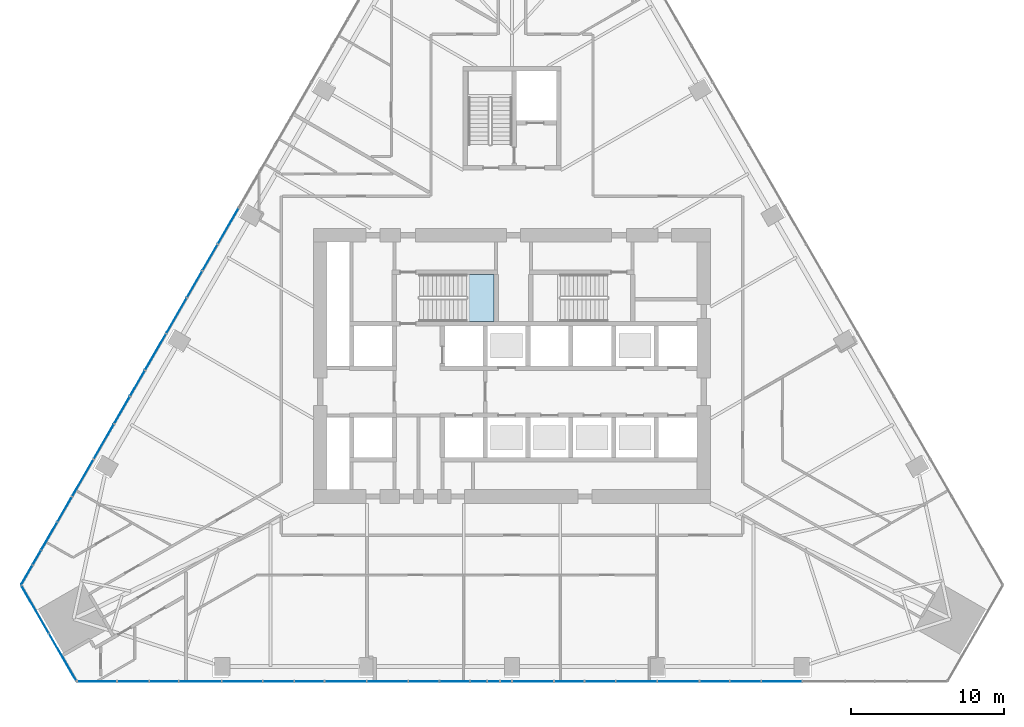
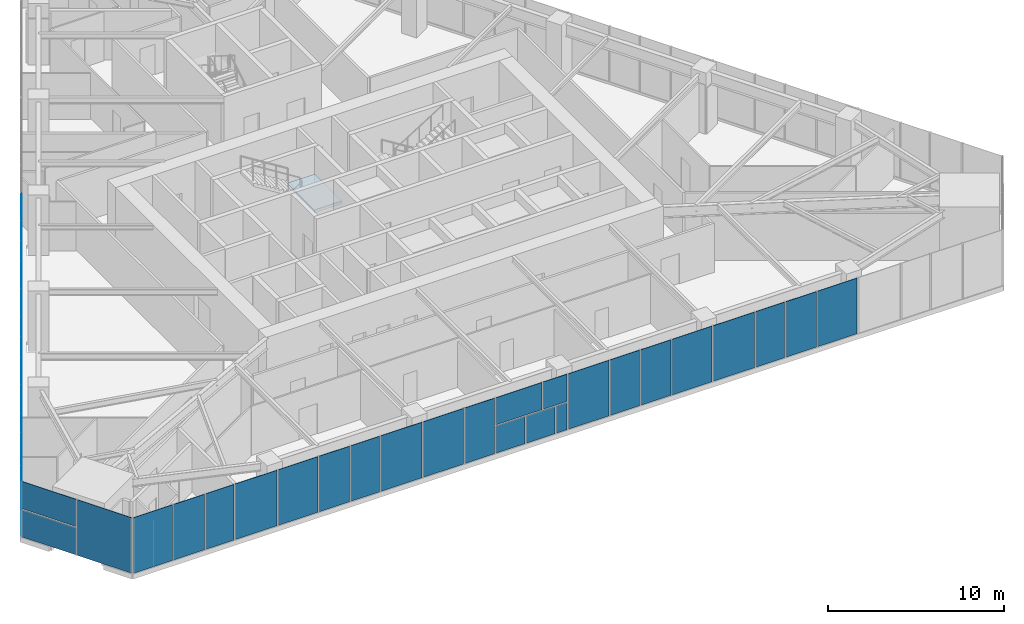
# One storey, part 13 of 21: 40 plates, 1 slab, 4 elements without a shape of their own.
"""IFC4 building model written with IfcOpenShell, lengths in metres."""

from ifc_helpers import new_model, si_unit, direction, frame, origin, place, context, subcontext, project, spatial, polyline, outline, extrude, material, layer, layer_set, type_object, element, aggregate, save


model = new_model("IFC4")

# Units and contexts
model_context = context("Model", 3, precision=1e-05, world=origin(), true_north=direction((0.0, 1.0)))
body_context = subcontext(model_context, "Body", "Model", "MODEL_VIEW")
ifc_project = project(units=[si_unit("LENGTHUNIT", "METRE"), si_unit("AREAUNIT", "SQUARE_METRE"), si_unit("VOLUMEUNIT", "CUBIC_METRE"), si_unit("PLANEANGLEUNIT", "RADIAN"), si_unit("MASSUNIT", "GRAM", prefix="KILO")], contexts=[model_context])

# Site, building, storey
site_placement = place(None, origin())
site = spatial("IfcSite", under=ifc_project, at=site_placement, CompositionType="ELEMENT")
building_placement = place(site_placement, origin())
building = spatial("IfcBuilding", under=site, at=building_placement, Name="Firuza Gate Tower and Library", CompositionType="ELEMENT")
storey_placement = place(building_placement, frame((0.0, 0.0, 69.39990234375)))
storey = spatial("IfcBuildingStorey", under=building, at=storey_placement, Name="L15", CompositionType="ELEMENT", Elevation=69.39990234375)

# Curtain wall, plate
ifc_material_1 = material(Name="Aluminium 6063-T6", Category="aluminium")
ifc_layer_1 = layer(ifc_material_1, 0.14990234375)
ifc_layer_set_1 = layer_set([ifc_layer_1], Name="Corner curtain wall, chamfers")
curtain_wall_type_1 = type_object("IfcCurtainWallType", Name="Corner curtain wall, chamfers", PredefinedType="NOTDEFINED", material=ifc_layer_set_1)
placement = place(storey_placement, origin())
curtain_wall_1 = element("IfcCurtainWall", 1, at=placement, inside=storey, type_object=curtain_wall_type_1, Name="CW4 L15 SW corner", PredefinedType="NOTDEFINED")
ifc_material_2 = material(Name="Fritted glass", Category="glass")
ifc_layer_2 = layer(ifc_material_2, 0.030029296875)
ifc_layer_set_2 = layer_set([ifc_layer_2], Name="Fritted glass unit, corners")
plate_type_1 = type_object("IfcPlateType", Name="Fritted glass unit, corners", PredefinedType="CURTAIN_PANEL", material=ifc_layer_set_2)
plate_1_placement = place(storey_placement, frame((42.864501953125, 60.607177734375, 0.150146484375), z_axis=(-0.865999591991, -0.500044704672, 0.0), x_axis=(0.500044704672, -0.865999591991, 0.0)))
plate_1 = element("IfcPlate", 2, at=plate_1_placement, type_object=plate_type_1, Name="Glass unit", PredefinedType="CURTAIN_PANEL", context=body_context, shape_type="SweptSolid", body=[
    extrude(outline(polyline([(0.0, 0.0), (3.5631579828801696, 0.0), (3.5631579828801696, 1.885009765625), (0.0, 1.885009765625), (0.0, 0.0)])), origin(), (0.0, 0.0, -1.0), 0.030029296875),
])

# Curtain wall, plates
ifc_material_3 = material(Name="Aluminium 6063-T6", Category="aluminium")
ifc_layer_3 = layer(ifc_material_3, 0.14990234375)
ifc_layer_set_3 = layer_set([ifc_layer_3], Name="Unitised curtain wall, offices")
curtain_wall_type_2 = type_object("IfcCurtainWallType", Name="Unitised curtain wall, offices", PredefinedType="NOTDEFINED", material=ifc_layer_set_3)
curtain_wall_2 = element("IfcCurtainWall", 3, at=placement, inside=storey, type_object=curtain_wall_type_2, Name="CW1 L15 S face", PredefinedType="NOTDEFINED")
ifc_material_4 = material(Name="Fritted glass", Category="glass")
ifc_layer_4 = layer(ifc_material_4, 0.030029296875)
ifc_layer_set_4 = layer_set([ifc_layer_4], Name="Fritted glass unit, offices")
plate_type_2 = type_object("IfcPlateType", Name="Fritted glass unit, offices", PredefinedType="CURTAIN_PANEL", material=ifc_layer_set_4)
plate_2_placement = place(storey_placement, frame((49.1826171875, 54.323974609375, 0.150146484375), z_axis=(0.0, -1.0, 0.0), x_axis=(1.0, 0.0, 0.0)))
plate_2 = element("IfcPlate", 4, at=plate_2_placement, type_object=plate_type_2, Name="Glass unit", PredefinedType="CURTAIN_PANEL", context=body_context, shape_type="SweptSolid", body=[
    extrude(outline(polyline([(0.0, 0.0), (2.028076171875, 0.0), (2.028076171875, 3.849853515625), (0.0, 3.849853515625), (0.0, 0.0)])), origin(), (0.0, 0.0, -1.0), 0.030029296875),
])
plate_3_placement = place(storey_placement, frame((51.290771484375, 54.323974609375, 0.150146484375), z_axis=(0.0, -1.0, 0.0), x_axis=(1.0, 0.0, 0.0)))
plate_3 = element("IfcPlate", 5, at=plate_3_placement, type_object=plate_type_2, Name="Glass unit", PredefinedType="CURTAIN_PANEL", context=body_context, shape_type="SweptSolid", body=[
    extrude(outline(polyline([(0.0, 0.0), (1.8544921875, 0.0), (1.8544921875, 3.849853515625), (0.0, 3.849853515625), (0.0, 0.0)])), origin(), (0.0, 0.0, -1.0), 0.030029296875),
])
plate_4_placement = place(storey_placement, frame((58.717041015625, 54.323974609375, 0.150146484375), z_axis=(0.0, -1.0, 0.0), x_axis=(1.0, 0.0, 0.0)))
plate_4 = element("IfcPlate", 6, at=plate_4_placement, type_object=plate_type_2, Name="Glass unit", PredefinedType="CURTAIN_PANEL", context=body_context, shape_type="SweptSolid", body=[
    extrude(outline(polyline([(0.0, 0.0), (1.993408203125, 0.0), (1.993408203125, 3.849853515625), (0.0, 3.849853515625), (0.0, 0.0)])), origin(), (0.0, 0.0, -1.0), 0.030029296875),
])
plate_5_placement = place(storey_placement, frame((60.790283203125, 54.323974609375, 0.150146484375), z_axis=(0.0, -1.0, 0.0), x_axis=(1.0, 0.0, 0.0)))
plate_5 = element("IfcPlate", 7, at=plate_5_placement, type_object=plate_type_2, Name="Glass unit", PredefinedType="CURTAIN_PANEL", context=body_context, shape_type="SweptSolid", body=[
    extrude(outline(polyline([(0.0, 0.0), (1.889404296875, 0.0), (1.889404296875, 3.849853515625), (0.0, 3.849853515625), (0.0, 0.0)])), origin(), (0.0, 0.0, -1.0), 0.030029296875),
])
plate_6_placement = place(storey_placement, frame((68.25146484375, 54.323974609375, 0.150146484375), z_axis=(0.0, -1.0, 0.0), x_axis=(1.0, 0.0, 0.0)))
plate_6 = element("IfcPlate", 8, at=plate_6_placement, type_object=plate_type_2, Name="Glass unit", PredefinedType="CURTAIN_PANEL", context=body_context, shape_type="SweptSolid", body=[
    extrude(outline(polyline([(0.0, 0.0), (1.958740234375, 0.0), (1.958740234375, 3.849853515625), (0.0, 3.849853515625), (0.0, 0.0)])), origin(), (0.0, 0.0, -1.0), 0.030029296875),
])
plate_7_placement = place(storey_placement, frame((70.2900390625, 54.323974609375, 0.150146484375), z_axis=(0.0, -1.0, 0.0), x_axis=(1.0, 0.0, 0.0)))
plate_7 = element("IfcPlate", 9, at=plate_7_placement, type_object=plate_type_2, Name="Glass unit", PredefinedType="CURTAIN_PANEL", context=body_context, shape_type="SweptSolid", body=[
    extrude(outline(polyline([(0.0, 0.0), (1.924072265625, 0.0), (1.924072265625, 1.885009765625), (0.0, 1.885009765625), (0.0, 0.0)])), origin(), (0.0, 0.0, -1.0), 0.030029296875),
])
plate_8_placement = place(storey_placement, frame((74.2587890625, 54.323974609375, 0.150146484375), z_axis=(0.0, -1.0, 0.0), x_axis=(1.0, 0.0, 0.0)))
plate_8 = element("IfcPlate", 10, at=plate_8_placement, type_object=plate_type_2, Name="Glass unit", PredefinedType="CURTAIN_PANEL", context=body_context, shape_type="SweptSolid", body=[
    extrude(outline(polyline([(0.0, 0.0), (0.701171875, 0.0), (0.701171875, 1.885009765625), (0.0, 1.885009765625), (0.0, 0.0)])), origin(), (0.0, 0.0, -1.0), 0.030029296875),
])
plate_9_placement = place(storey_placement, frame((70.2900390625, 54.323974609375, 2.114990234375), z_axis=(0.0, -1.0, 0.0), x_axis=(1.0, 0.0, 0.0)))
plate_9 = element("IfcPlate", 11, at=plate_9_placement, type_object=plate_type_2, Name="Glass unit", PredefinedType="CURTAIN_PANEL", context=body_context, shape_type="SweptSolid", body=[
    extrude(outline(polyline([(0.0, 0.0), (3.039306640625, 0.0), (3.039306640625, 1.885009765625), (0.0, 1.885009765625), (0.0, 0.0)])), origin(), (0.0, 0.0, -1.0), 0.030029296875),
])
plate_10_placement = place(storey_placement, frame((77.785888671875, 54.323974609375, 0.150146484375), z_axis=(0.0, -1.0, 0.0), x_axis=(1.0, 0.0, 0.0)))
plate_10 = element("IfcPlate", 12, at=plate_10_placement, type_object=plate_type_2, Name="Glass unit", PredefinedType="CURTAIN_PANEL", context=body_context, shape_type="SweptSolid", body=[
    extrude(outline(polyline([(0.0, 0.0), (1.924072265625, 0.0), (1.924072265625, 3.849853515625), (0.0, 3.849853515625), (0.0, 0.0)])), origin(), (0.0, 0.0, -1.0), 0.030029296875),
])
plate_11_placement = place(storey_placement, frame((79.789794921875, 54.323974609375, 0.150146484375), z_axis=(0.0, -1.0, 0.0), x_axis=(1.0, 0.0, 0.0)))
plate_11 = element("IfcPlate", 13, at=plate_11_placement, type_object=plate_type_2, Name="Glass unit", PredefinedType="CURTAIN_PANEL", context=body_context, shape_type="SweptSolid", body=[
    extrude(outline(polyline([(0.0, 0.0), (1.958740234375, 0.0), (1.958740234375, 3.849853515625), (0.0, 3.849853515625), (0.0, 0.0)])), origin(), (0.0, 0.0, -1.0), 0.030029296875),
])
plate_12_placement = place(storey_placement, frame((87.3203125, 54.323974609375, 0.150146484375), z_axis=(0.0, -1.0, 0.0), x_axis=(1.0, 0.0, 0.0)))
plate_12 = element("IfcPlate", 14, at=plate_12_placement, type_object=plate_type_2, Name="Glass unit", PredefinedType="CURTAIN_PANEL", context=body_context, shape_type="SweptSolid", body=[
    extrude(outline(polyline([(0.0, 0.0), (1.889404296875, 0.0), (1.889404296875, 3.849853515625), (0.0, 3.849853515625), (0.0, 0.0)])), origin(), (0.0, 0.0, -1.0), 0.030029296875),
])
plate_13_placement = place(storey_placement, frame((89.28955078125, 54.323974609375, 0.150146484375), z_axis=(0.0, -1.0, 0.0), x_axis=(1.0, 0.0, 0.0)))
plate_13 = element("IfcPlate", 15, at=plate_13_placement, type_object=plate_type_2, Name="Glass unit", PredefinedType="CURTAIN_PANEL", context=body_context, shape_type="SweptSolid", body=[
    extrude(outline(polyline([(0.0, 0.0), (1.993408203125, 0.0), (1.993408203125, 3.849853515625), (0.0, 3.849853515625), (0.0, 0.0)])), origin(), (0.0, 0.0, -1.0), 0.030029296875),
])

curtain_wall_3 = element("IfcCurtainWall", 16, at=placement, inside=storey, type_object=curtain_wall_type_2, Name="CW1 L15 W face", PredefinedType="NOTDEFINED")
plate_14_placement = place(storey_placement, frame((55.701171875, 82.92529296875, 0.150146484375), z_axis=(-0.866048237946, 0.499960447986, 0.0), x_axis=(-0.499960447986, -0.866048237946, 0.0)))
plate_14 = element("IfcPlate", 17, at=plate_14_placement, type_object=plate_type_2, Name="Glass unit", PredefinedType="CURTAIN_PANEL", context=body_context, shape_type="SweptSolid", body=[
    extrude(outline(polyline([(0.0, 0.0), (1.923980319591636, 0.0), (1.923980319591636, 3.849853515625), (0.0, 3.849853515625), (0.0, 0.0)])), origin(), (0.0, 0.0, -1.0), 0.030029296875),
])
plate_15_placement = place(storey_placement, frame((54.69921875, 81.18994140625, 0.150146484375), z_axis=(-0.865994621196, 0.500053313218, 0.0), x_axis=(-0.500053313218, -0.865994621196, 0.0)))
plate_15 = element("IfcPlate", 18, at=plate_15_placement, type_object=plate_type_2, Name="Glass unit", PredefinedType="CURTAIN_PANEL", context=body_context, shape_type="SweptSolid", body=[
    extrude(outline(polyline([(0.0, 0.0), (1.958775517748439, 0.0), (1.958775517748439, 3.849853515625), (0.0, 3.849853515625), (0.0, 0.0)])), origin(), (0.0, 0.0, -1.0), 0.030029296875),
])
plate_16_placement = place(storey_placement, frame((50.933837890625, 74.668212890625, 0.150146484375), z_axis=(-0.866047869032, 0.499961087031, 0.0), x_axis=(-0.499961087031, -0.866047869032, 0.0)))
plate_16 = element("IfcPlate", 19, at=plate_16_placement, type_object=plate_type_2, Name="Glass unit", PredefinedType="CURTAIN_PANEL", context=body_context, shape_type="SweptSolid", body=[
    extrude(outline(polyline([(0.0, 0.0), (1.8893071933532877, 0.0), (1.8893071933532877, 3.849853515625001), (0.0, 3.849853515625001), (0.0, 0.0)])), origin(), (0.0, 0.0, -1.0), 0.030029296875),
])
plate_17_placement = place(storey_placement, frame((49.94921875, 72.962890625, 0.150146484375), z_axis=(-0.86604893727, 0.499959236591, 0.0), x_axis=(-0.499959236591, -0.86604893727, 0.0)))
plate_17 = element("IfcPlate", 20, at=plate_17_placement, type_object=plate_type_2, Name="Glass unit", PredefinedType="CURTAIN_PANEL", context=body_context, shape_type="SweptSolid", body=[
    extrude(outline(polyline([(0.0, 0.0), (1.9933265720713123, 0.0), (1.9933265720713123, 3.849853515625), (0.0, 3.849853515625), (0.0, 0.0)])), origin(), (0.0, 0.0, -1.0), 0.030029296875),
])
plate_18_placement = place(storey_placement, frame((46.166748046875, 66.4111328125, 0.150146484375), z_axis=(-0.866014576189, 0.500018753476, 0.0), x_axis=(-0.500018753476, -0.866014576189, 0.0)))
plate_18 = element("IfcPlate", 21, at=plate_18_placement, type_object=plate_type_2, Name="Glass unit", PredefinedType="CURTAIN_PANEL", context=body_context, shape_type="SweptSolid", body=[
    extrude(outline(polyline([(0.0, 0.0), (1.8544226337585363, 0.0), (1.8544226337585363, 3.849853515625), (0.0, 3.849853515625), (0.0, 0.0)])), origin(), (0.0, 0.0, -1.0), 0.030029296875),
])
plate_19_placement = place(storey_placement, frame((45.199462890625, 64.73583984375, 0.150146484375), z_axis=(-0.865997142093, 0.500048947491, 0.0), x_axis=(-0.500048947491, -0.865997142093, 0.0)))
plate_19 = element("IfcPlate", 22, at=plate_19_placement, type_object=plate_type_2, Name="Glass unit", PredefinedType="CURTAIN_PANEL", context=body_context, shape_type="SweptSolid", body=[
    extrude(outline(polyline([(0.0, 0.0), (2.0281217695542577, 0.0), (2.0281217695542577, 1.885009765625), (0.0, 1.885009765625), (0.0, 0.0)])), origin(), (0.0, 0.0, -1.0), 0.030029296875),
])
plate_20_placement = place(storey_placement, frame((45.199462890625, 64.73583984375, 2.114990234375), z_axis=(-0.86600709086, 0.500031717574, 0.0), x_axis=(-0.500031717574, -0.86600709086, 0.0)))
plate_20 = element("IfcPlate", 23, at=plate_20_placement, type_object=plate_type_2, Name="Glass unit", PredefinedType="CURTAIN_PANEL", context=body_context, shape_type="SweptSolid", body=[
    extrude(outline(polyline([(0.0, 0.0), (3.1433552882889813, 0.0), (3.1433552882889813, 1.885009765625), (0.0, 1.885009765625), (0.0, 0.0)])), origin(), (0.0, 0.0, -1.0), 0.030029296875),
])

# Plate
ifc_material_5 = material(Name="Glazed ceramic tile")
ifc_layer_5 = layer(ifc_material_5, 0.030029296875)
ifc_layer_set_5 = layer_set([ifc_layer_5], Name="Opaque ceramic panel, corners")
plate_type_3 = type_object("IfcPlateType", Name="Opaque ceramic panel, corners", PredefinedType="CURTAIN_PANEL", material=ifc_layer_set_5)
plate_21_placement = place(storey_placement, frame((42.864501953125, 60.607177734375, 2.114990234375), z_axis=(-0.865999591991, -0.500044704672, 0.0), x_axis=(0.500044704672, -0.865999591991, 0.0)))
plate_21 = element("IfcPlate", 24, at=plate_21_placement, type_object=plate_type_3, Name="Opaque ceramic panel", PredefinedType="CURTAIN_PANEL", context=body_context, shape_type="SweptSolid", body=[
    extrude(outline(polyline([(0.0, 0.0), (3.5631579828801696, 0.0), (3.5631579828801696, 1.885009765625), (0.0, 1.885009765625), (0.0, 0.0)])), origin(), (0.0, 0.0, -1.0), 0.030029296875),
])

plate_22_placement = place(storey_placement, frame((44.686279296875, 57.4521484375, 0.150146484375), z_axis=(-0.866046390552, -0.49996364809, 0.0), x_axis=(0.49996364809, -0.866046390552, 0.0)))
plate_22 = element("IfcPlate", 25, at=plate_22_placement, type_object=plate_type_3, Name="Opaque ceramic panel", PredefinedType="CURTAIN_PANEL", context=body_context, shape_type="SweptSolid", body=[
    extrude(outline(polyline([(0.0, 0.0), (3.563247342942594, 0.0), (3.563247342942594, 3.849853515625), (0.0, 3.849853515625), (0.0, 0.0)])), origin(), (0.0, 0.0, -1.0), 0.030029296875),
])

aggregate(curtain_wall_1, [plate_1, plate_21, plate_22])

ifc_material_6 = material(Name="Glazed ceramic tile")
ifc_layer_6 = layer(ifc_material_6, 0.030029296875)
ifc_layer_set_6 = layer_set([ifc_layer_6], Name="Opaque ceramic panel, offices")
plate_type_4 = type_object("IfcPlateType", Name="Opaque ceramic panel, offices", PredefinedType="CURTAIN_PANEL", material=ifc_layer_set_6)
plate_23_placement = place(storey_placement, frame((46.540771484375, 54.323974609375, 0.150146484375), z_axis=(0.0, -1.0, 0.0), x_axis=(1.0, 0.0, 0.0)))
plate_23 = element("IfcPlate", 26, at=plate_23_placement, type_object=plate_type_4, Name="Opaque ceramic panel", PredefinedType="CURTAIN_PANEL", context=body_context, shape_type="SweptSolid", body=[
    extrude(outline(polyline([(0.0, 0.0), (2.561767578125, 0.0), (2.561767578125, 3.849853515625), (0.0, 3.849853515625), (0.0, 0.0)])), origin(), (0.0, 0.0, -1.0), 0.030029296875),
])

plate_24_placement = place(storey_placement, frame((53.22509765625, 54.323974609375, 0.150146484375), z_axis=(0.0, -1.0, 0.0), x_axis=(1.0, 0.0, 0.0)))
plate_24 = element("IfcPlate", 27, at=plate_24_placement, type_object=plate_type_4, Name="Opaque ceramic panel", PredefinedType="CURTAIN_PANEL", context=body_context, shape_type="SweptSolid", body=[
    extrude(outline(polyline([(0.0, 0.0), (2.7353515625, 0.0), (2.7353515625, 3.849853515625), (0.0, 3.849853515625), (0.0, 0.0)])), origin(), (0.0, 0.0, -1.0), 0.030029296875),
])

plate_25_placement = place(storey_placement, frame((56.04052734375, 54.323974609375, 0.150146484375), z_axis=(0.0, -1.0, 0.0), x_axis=(1.0, 0.0, 0.0)))
plate_25 = element("IfcPlate", 28, at=plate_25_placement, type_object=plate_type_4, Name="Opaque ceramic panel", PredefinedType="CURTAIN_PANEL", context=body_context, shape_type="SweptSolid", body=[
    extrude(outline(polyline([(0.0, 0.0), (2.596435546875, 0.0), (2.596435546875, 3.849853515625), (0.0, 3.849853515625), (0.0, 0.0)])), origin(), (0.0, 0.0, -1.0), 0.030029296875),
])

plate_26_placement = place(storey_placement, frame((62.759521484375, 54.323974609375, 0.150146484375), z_axis=(0.0, -1.0, 0.0), x_axis=(1.0, 0.0, 0.0)))
plate_26 = element("IfcPlate", 29, at=plate_26_placement, type_object=plate_type_4, Name="Opaque ceramic panel", PredefinedType="CURTAIN_PANEL", context=body_context, shape_type="SweptSolid", body=[
    extrude(outline(polyline([(0.0, 0.0), (2.70068359375, 0.0), (2.70068359375, 3.849853515625), (0.0, 3.849853515625), (0.0, 0.0)])), origin(), (0.0, 0.0, -1.0), 0.030029296875),
])

plate_27_placement = place(storey_placement, frame((65.540283203125, 54.323974609375, 0.150146484375), z_axis=(0.0, -1.0, 0.0), x_axis=(1.0, 0.0, 0.0)))
plate_27 = element("IfcPlate", 30, at=plate_27_placement, type_object=plate_type_4, Name="Opaque ceramic panel", PredefinedType="CURTAIN_PANEL", context=body_context, shape_type="SweptSolid", body=[
    extrude(outline(polyline([(0.0, 0.0), (2.631103515625, 0.0), (2.631103515625, 3.849853515625), (0.0, 3.849853515625), (0.0, 0.0)])), origin(), (0.0, 0.0, -1.0), 0.030029296875),
])

plate_28_placement = place(storey_placement, frame((72.294189453125, 54.323974609375, 0.150146484375), z_axis=(0.0, -1.0, 0.0), x_axis=(1.0, 0.0, 0.0)))
plate_28 = element("IfcPlate", 31, at=plate_28_placement, type_object=plate_type_4, Name="Opaque ceramic panel", PredefinedType="CURTAIN_PANEL", context=body_context, shape_type="SweptSolid", body=[
    extrude(outline(polyline([(0.0, 0.0), (1.884521484375, 0.0), (1.884521484375, 1.885009765625), (0.0, 1.885009765625), (0.0, 0.0)])), origin(), (0.0, 0.0, -1.0), 0.030029296875),
])

plate_29_placement = place(storey_placement, frame((73.4091796875, 54.323974609375, 2.114990234375), z_axis=(0.0, -1.0, 0.0), x_axis=(1.0, 0.0, 0.0)))
plate_29 = element("IfcPlate", 32, at=plate_29_placement, type_object=plate_type_4, Name="Opaque ceramic panel", PredefinedType="CURTAIN_PANEL", context=body_context, shape_type="SweptSolid", body=[
    extrude(outline(polyline([(0.0, 0.0), (1.55078125, 0.0), (1.55078125, 1.885009765625), (0.0, 1.885009765625), (0.0, 0.0)])), origin(), (0.0, 0.0, -1.0), 0.030029296875),
])

plate_30_placement = place(storey_placement, frame((75.0400390625, 54.323974609375, 0.150146484375), z_axis=(0.0, -1.0, 0.0), x_axis=(1.0, 0.0, 0.0)))
plate_30 = element("IfcPlate", 33, at=plate_30_placement, type_object=plate_type_4, Name="Opaque ceramic panel", PredefinedType="CURTAIN_PANEL", context=body_context, shape_type="SweptSolid", body=[
    extrude(outline(polyline([(0.0, 0.0), (2.665771484375, 0.0), (2.665771484375, 3.849853515625), (0.0, 3.849853515625), (0.0, 0.0)])), origin(), (0.0, 0.0, -1.0), 0.030029296875),
])

plate_31_placement = place(storey_placement, frame((81.82861328125, 54.323974609375, 0.150146484375), z_axis=(0.0, -1.0, 0.0), x_axis=(1.0, 0.0, 0.0)))
plate_31 = element("IfcPlate", 34, at=plate_31_placement, type_object=plate_type_4, Name="Opaque ceramic panel", PredefinedType="CURTAIN_PANEL", context=body_context, shape_type="SweptSolid", body=[
    extrude(outline(polyline([(0.0, 0.0), (2.631103515625, 0.0), (2.631103515625, 3.849853515625), (0.0, 3.849853515625), (0.0, 0.0)])), origin(), (0.0, 0.0, -1.0), 0.030029296875),
])

plate_32_placement = place(storey_placement, frame((84.539794921875, 54.323974609375, 0.150146484375), z_axis=(0.0, -1.0, 0.0), x_axis=(1.0, 0.0, 0.0)))
plate_32 = element("IfcPlate", 35, at=plate_32_placement, type_object=plate_type_4, Name="Opaque ceramic panel", PredefinedType="CURTAIN_PANEL", context=body_context, shape_type="SweptSolid", body=[
    extrude(outline(polyline([(0.0, 0.0), (2.70068359375, 0.0), (2.70068359375, 3.849853515625), (0.0, 3.849853515625), (0.0, 0.0)])), origin(), (0.0, 0.0, -1.0), 0.030029296875),
])

plate_33_placement = place(storey_placement, frame((91.363037109375, 54.323974609375, 0.150146484375), z_axis=(0.0, -1.0, 0.0), x_axis=(1.0, 0.0, 0.0)))
plate_33 = element("IfcPlate", 36, at=plate_33_placement, type_object=plate_type_4, Name="Opaque ceramic panel", PredefinedType="CURTAIN_PANEL", context=body_context, shape_type="SweptSolid", body=[
    extrude(outline(polyline([(0.0, 0.0), (2.596435546875, 0.0), (2.596435546875, 3.849853515625), (0.0, 3.849853515625), (0.0, 0.0)])), origin(), (0.0, 0.0, -1.0), 0.030029296875),
])

aggregate(curtain_wall_2, [plate_23, plate_2, plate_3, plate_24, plate_25, plate_4, plate_5, plate_26, plate_27, plate_6, plate_7, plate_28, plate_8, plate_9, plate_29, plate_30, plate_10, plate_11, plate_31, plate_32, plate_12, plate_13, plate_33])

plate_34_placement = place(storey_placement, frame((57.07421875, 85.30322265625, 0.150146484375), z_axis=(-0.866002566612, 0.500039553057, 0.0), x_axis=(-0.500039553057, -0.866002566612, 0.0)))
plate_34 = element("IfcPlate", 37, at=plate_34_placement, type_object=plate_type_4, Name="Opaque ceramic panel", PredefinedType="CURTAIN_PANEL", context=body_context, shape_type="SweptSolid", body=[
    extrude(outline(polyline([(0.0, 0.0), (2.66580474354839, 0.0), (2.66580474354839, 3.849853515625), (0.0, 3.849853515625), (0.0, 0.0)])), origin(), (0.0, 0.0, -1.0), 0.030029296875),
])

plate_35_placement = place(storey_placement, frame((53.679931640625, 79.42431640625, 0.150146484375), z_axis=(-0.866024898077, 0.500000875909, 0.0), x_axis=(-0.500000875909, -0.866024898077, 0.0)))
plate_35 = element("IfcPlate", 38, at=plate_35_placement, type_object=plate_type_4, Name="Opaque ceramic panel", PredefinedType="CURTAIN_PANEL", context=body_context, shape_type="SweptSolid", body=[
    extrude(outline(polyline([(0.0, 0.0), (2.6313430466136385, 0.0), (2.6313430466136385, 3.849853515625), (0.0, 3.849853515625), (0.0, 0.0)])), origin(), (0.0, 0.0, -1.0), 0.030029296875),
])

plate_36_placement = place(storey_placement, frame((52.32421875, 77.076416015625, 0.150146484375), z_axis=(-0.866026013603, 0.499998943762, 0.0), x_axis=(-0.499998943762, -0.866026013603, 0.0)))
plate_36 = element("IfcPlate", 39, at=plate_36_placement, type_object=plate_type_4, Name="Opaque ceramic panel", PredefinedType="CURTAIN_PANEL", context=body_context, shape_type="SweptSolid", body=[
    extrude(outline(polyline([(0.0, 0.0), (2.7006892988923705, 0.0), (2.7006892988923705, 3.849853515625), (0.0, 3.849853515625), (0.0, 0.0)])), origin(), (0.0, 0.0, -1.0), 0.030029296875),
])

plate_37_placement = place(storey_placement, frame((48.91259765625, 71.167236328125, 0.150146484375), z_axis=(-0.866000809756, 0.500042595688, 0.0), x_axis=(-0.500042595688, -0.866000809756, 0.0)))
plate_37 = element("IfcPlate", 40, at=plate_37_placement, type_object=plate_type_4, Name="Opaque ceramic panel", PredefinedType="CURTAIN_PANEL", context=body_context, shape_type="SweptSolid", body=[
    extrude(outline(polyline([(0.0, 0.0), (2.5964584916306643, 0.0), (2.5964584916306643, 3.849853515625), (0.0, 3.849853515625), (0.0, 0.0)])), origin(), (0.0, 0.0, -1.0), 0.030029296875),
])

plate_38_placement = place(storey_placement, frame((47.574462890625, 68.849365234375, 0.150146484375), z_axis=(-0.866026550154, 0.499998014425, 0.0), x_axis=(-0.499998014425, -0.866026550154, 0.0)))
plate_38 = element("IfcPlate", 41, at=plate_38_placement, type_object=plate_type_4, Name="Opaque ceramic panel", PredefinedType="CURTAIN_PANEL", context=body_context, shape_type="SweptSolid", body=[
    extrude(outline(polyline([(0.0, 0.0), (2.735362425036586, 0.0), (2.735362425036586, 3.849853515625001), (0.0, 3.849853515625001), (0.0, 0.0)])), origin(), (0.0, 0.0, -1.0), 0.030029296875),
])

plate_39_placement = place(storey_placement, frame((44.145263671875, 62.91015625, 0.150146484375), z_axis=(-0.866041163633, 0.499972702148, 0.0), x_axis=(-0.499972702148, -0.866041163633, 0.0)))
plate_39 = element("IfcPlate", 42, at=plate_39_placement, type_object=plate_type_4, Name="Opaque ceramic panel", PredefinedType="CURTAIN_PANEL", context=body_context, shape_type="SweptSolid", body=[
    extrude(outline(polyline([(0.0, 0.0), (2.561663293310942, 0.0), (2.561663293310942, 1.885009765625), (0.0, 1.885009765625), (0.0, 0.0)])), origin(), (0.0, 0.0, -1.0), 0.030029296875),
])

plate_40_placement = place(storey_placement, frame((43.587890625, 61.9443359375, 2.114990234375), z_axis=(-0.86598039905, 0.500077942386, 0.0), x_axis=(-0.500077942386, -0.86598039905, 0.0)))
plate_40 = element("IfcPlate", 43, at=plate_40_placement, type_object=plate_type_4, Name="Opaque ceramic panel", PredefinedType="CURTAIN_PANEL", context=body_context, shape_type="SweptSolid", body=[
    extrude(outline(polyline([(0.0, 0.0), (1.4465518483437068, 0.0), (1.4465518483437068, 1.885009765625), (0.0, 1.885009765625), (0.0, 0.0)])), origin(), (0.0, 0.0, -1.0), 0.030029296875),
])

aggregate(curtain_wall_3, [plate_34, plate_14, plate_15, plate_35, plate_36, plate_16, plate_17, plate_37, plate_38, plate_18, plate_19, plate_39, plate_20, plate_40])

# Stair, slab
ifc_material_7 = material(Name="Concrete C35/45", Category="concrete")
stair_type = type_object("IfcStairType", Name="Exit stair ST5", PredefinedType="HALF_TURN_STAIR", material=ifc_material_7)
stair = element("IfcStair", 44, at=placement, inside=storey, type_object=stair_type, Name="L15 Stair ST1", PredefinedType="HALF_TURN_STAIR")
ifc_material_8 = material(Name="Concrete C35/45", Category="concrete")
ifc_layer_7 = layer(ifc_material_8, 0.199951171875)
ifc_layer_set_7 = layer_set([ifc_layer_7], Name="Stair landing 200")
slab_type = type_object("IfcSlabType", Name="Stair landing 200", PredefinedType="LANDING", material=ifc_layer_set_7)
slab_placement = place(storey_placement, frame((0.0, 0.0, 1.900146484375)))
slab = element("IfcSlab", 45, at=slab_placement, type_object=slab_type, Name="ST1 landing 1", PredefinedType="LANDING", context=body_context, shape_type="SweptSolid", body=[
    extrude(outline(polyline([(72.02001953125, 77.89990234375), (73.81005859375, 77.89990234375), (73.81005859375, 80.97998046875), (72.02001953125, 80.97998046875), (72.02001953125, 77.89990234375)])), origin(), (0.0, 0.0, 1.0), 0.199951171875),
])
aggregate(stair, [slab])

save(model, "model.ifc")
